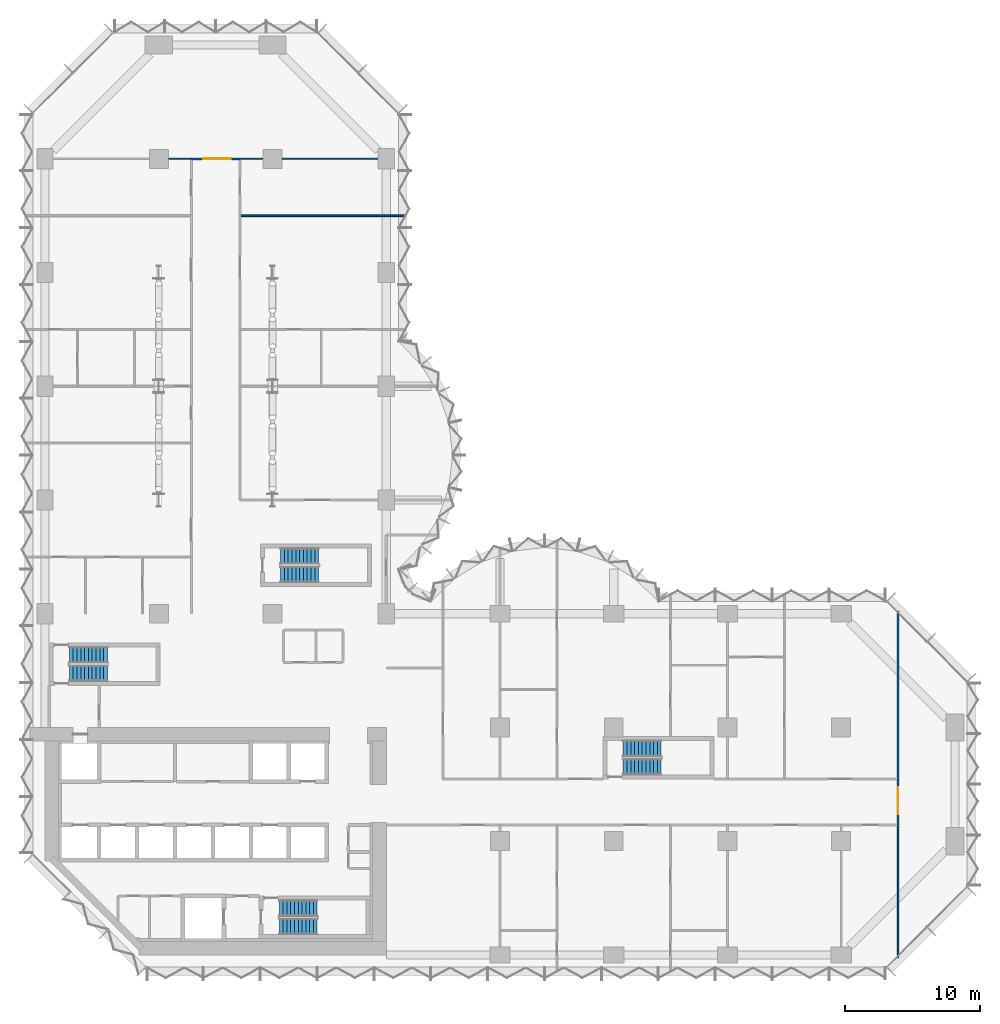
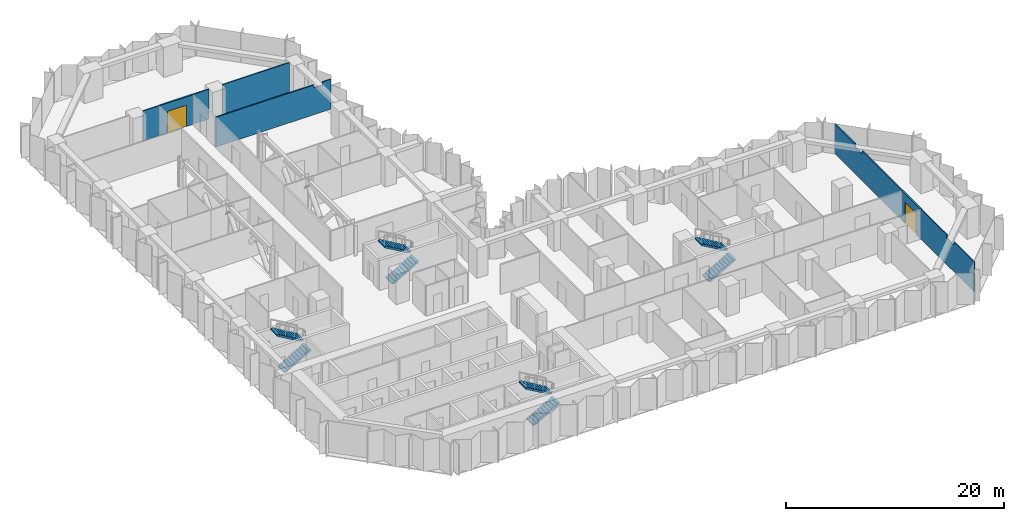
# One storey, part 14 of 18: 8 stair flights, 8 walls, 2 doors, 2 openings, 4 elements without a shape of their own.
"""IFC4 building model written with IfcOpenShell, lengths in metres."""

import ifcopenshell
import ifcopenshell.guid

model = None  # the IFC model being written
_history = None  # IfcOwnerHistory: only IFC2X3 demands one
_inside = {}  # id of a spatial element -> (the spatial element, [elements in it])
_under = {}  # id of a project, library or spatial element -> (it, [spatial elements below it])
_declared = {}  # id of a project -> (the project, [libraries it declares])
_typed = {}  # id of a type object -> (the type object, [elements of that type])
_made_of = {}  # id of a material, layer set ... -> (it, [elements and type objects made of it])


def new_model(schema):
    """Start an empty IFC model of exactly this schema.

    Asked for "IFC4X3", IfcOpenShell would pick the latest addendum, in which some entities
    have other attributes; the version numbers below select the first issue.
    IFC2X3 requires an IfcOwnerHistory on every rooted entity: one is made here for all.
    """
    global model, _history
    if schema == "IFC4X3":
        model = ifcopenshell.file(schema_version=(4, 3, 0, 0))
    else:
        model = ifcopenshell.file(schema=schema)
    _inside.clear()
    _under.clear()
    _declared.clear()
    _typed.clear()
    _made_of.clear()
    _history = None
    if model.schema == "IFC2X3":
        org = make("IfcOrganization", Name="unknown")
        user = make(
            "IfcPersonAndOrganization",
            ThePerson=make("IfcPerson", FamilyName="unknown"),
            TheOrganization=org,
        )
        app = make(
            "IfcApplication",
            ApplicationDeveloper=org,
            Version="unknown",
            ApplicationFullName="unknown",
            ApplicationIdentifier="unknown",
        )
        _history = make(
            "IfcOwnerHistory",
            OwningUser=user,
            OwningApplication=app,
            ChangeAction="ADDED",
            CreationDate=0,
        )
    return model


def make(cls, **values):
    """One entity of the class cls with the attributes given. An attribute that is None is left unset."""
    return model.create_entity(
        cls, **{name: value for name, value in values.items() if value is not None}
    )


def rooted(cls, **values):
    """An entity with a GlobalId (a new one), such as an element, a storey or a relation."""
    return make(cls, GlobalId=ifcopenshell.guid.new(), OwnerHistory=_history, **values)


def si_unit(unit_type, name, prefix=None):
    """IfcSIUnit, for example si_unit("LENGTHUNIT", "METRE", prefix="MILLI")."""
    return make("IfcSIUnit", UnitType=unit_type, Prefix=prefix, Name=name)


def assignment(units):
    """IfcUnitAssignment: the units of a project."""
    return None if units is None else make("IfcUnitAssignment", Units=units)


def point(xyz):
    """IfcCartesianPoint."""
    return None if xyz is None else make("IfcCartesianPoint", Coordinates=xyz)


def direction(xyz):
    """IfcDirection."""
    return None if xyz is None else make("IfcDirection", DirectionRatios=xyz)


def frame(location, z_axis=None, x_axis=None):
    """IfcAxis2Placement3D, a coordinate frame: its origin and axes. An axis left out is left unset."""
    return make(
        "IfcAxis2Placement3D",
        Location=point(location),
        Axis=direction(z_axis),
        RefDirection=direction(x_axis),
    )


def frame_2d(location, x_axis=None):
    """IfcAxis2Placement2D, a coordinate frame in the plane: its origin and x axis."""
    return make(
        "IfcAxis2Placement2D", Location=point(location), RefDirection=direction(x_axis)
    )


def origin():
    """The frame at (0, 0, 0) with its axes left unset."""
    return frame((0.0, 0.0, 0.0))


def place(relative_to, where):
    """IfcLocalPlacement: puts the frame where relative to a parent placement (None: the world)."""
    return make(
        "IfcLocalPlacement", PlacementRelTo=relative_to, RelativePlacement=where
    )


def context(
    kind, dimensions, precision=None, world=None, true_north=None, identifier=None
):
    """IfcGeometricRepresentationContext, for example the 3D "Model" context."""
    return make(
        "IfcGeometricRepresentationContext",
        ContextIdentifier=identifier,
        ContextType=kind,
        CoordinateSpaceDimension=dimensions,
        Precision=precision,
        WorldCoordinateSystem=world,
        TrueNorth=true_north,
    )


def subcontext(parent, identifier, kind, view, scale=None):
    """IfcGeometricRepresentationSubContext, for example "Body" below "Model"."""
    return make(
        "IfcGeometricRepresentationSubContext",
        ContextIdentifier=identifier,
        ContextType=kind,
        ParentContext=parent,
        TargetScale=scale,
        TargetView=view,
    )


def project(units=None, contexts=None):
    """IfcProject with its units and contexts."""
    return rooted(
        "IfcProject",
        Name="project",
        RepresentationContexts=contexts,
        UnitsInContext=assignment(units),
    )


def spatial(cls, under=None, at=None, **own):
    """A site, building, storey or space (cls), placed at a placement, below another one or the project."""
    s = rooted(cls, ObjectPlacement=at, **own)
    if under is not None:
        _under.setdefault(under.id(), (under, []))[1].append(s)
    return s


def polyline(points):
    """IfcPolyline through the points."""
    return make("IfcPolyline", Points=[point(p) for p in points])


def profile(cls, at=None, kind="AREA", **sizes):
    """A parametric profile (cls). Its sizes go by their IFC names, for example OverallWidth=200.0."""
    return make(cls, ProfileType=kind, Position=at, **sizes)


def rectangle(**sizes):
    """IfcRectangleProfileDef."""
    return profile("IfcRectangleProfileDef", **sizes)


def outline(outer, holes=None, kind="AREA"):
    """IfcArbitraryClosedProfileDef: a profile drawn as a closed curve; with holes, ...WithVoids."""
    if holes is None:
        return make("IfcArbitraryClosedProfileDef", ProfileType=kind, OuterCurve=outer)
    return make(
        "IfcArbitraryProfileDefWithVoids",
        ProfileType=kind,
        OuterCurve=outer,
        InnerCurves=holes,
    )


def extrude(swept, where, along, depth):
    """IfcExtrudedAreaSolid: the profile swept, set in the frame where, extruded along a direction by depth."""
    return make(
        "IfcExtrudedAreaSolid",
        SweptArea=swept,
        Position=where,
        ExtrudedDirection=direction(along),
        Depth=depth,
    )


def shape(context_of_items, identifier, shape_type, items):
    """IfcShapeRepresentation: the items that make up one representation, for example the "Body"."""
    return make(
        "IfcShapeRepresentation",
        ContextOfItems=context_of_items,
        RepresentationIdentifier=identifier,
        RepresentationType=shape_type,
        Items=items,
    )


def material(Name=None, Category=None):
    """IfcMaterial."""
    return make("IfcMaterial", Name=Name, Category=Category)


def layer(
    of_material, thickness, ventilated=None, Name=None, Category=None, Priority=None
):
    """IfcMaterialLayer: one layer of a wall or slab, of a material (None: an air gap)."""
    return make(
        "IfcMaterialLayer",
        Material=of_material,
        LayerThickness=thickness,
        IsVentilated=ventilated,
        Name=Name,
        Category=Category,
        Priority=Priority,
    )


def layer_set(layers, Name=None):
    """IfcMaterialLayerSet."""
    return make("IfcMaterialLayerSet", MaterialLayers=layers, LayerSetName=Name)


def made_of(thing, what):
    """Note that an element or type object is made of a material, layer set ...; save() writes the relation."""
    if what is not None:
        _made_of.setdefault(what.id(), (what, []))[1].append(thing)
    return thing


def type_object(cls, material=None, **own):
    """A type object (cls), such as IfcWallType, which elements share."""
    return made_of(rooted(cls, **own), material)


def element(
    cls,
    number,
    at=None,
    inside=None,
    cuts=None,
    type_object=None,
    material=None,
    context=None,
    identifier="Body",
    shape_type=None,
    held_by="IfcProductDefinitionShape",
    body=None,
    shapes=None,
    **own,
):
    """One element of the class cls, such as IfcWall. Its Tag is "e" and its number.

    at: its placement. inside: the storey or other place that contains it. cuts: it is an
    opening in that element (IfcRelVoidsElement). A single representation is given by context,
    identifier, shape_type and body (its items); several are given by shapes. held_by: the class
    of the entity that holds the representations. save() writes the other relations.
    """
    e = rooted(cls, Tag="e%d" % number, ObjectPlacement=at, **own)
    if body is not None:
        shapes = [shape(context, identifier, shape_type, body)]
    if shapes is not None:
        e.Representation = make(held_by, Representations=shapes)
    if inside is not None:
        _inside.setdefault(inside.id(), (inside, []))[1].append(e)
    if cuts is not None:
        rooted(
            "IfcRelVoidsElement", RelatingBuildingElement=cuts, RelatedOpeningElement=e
        )
    if type_object is not None:
        _typed.setdefault(type_object.id(), (type_object, []))[1].append(e)
    return made_of(e, material)


def fill(opening, filler):
    """IfcRelFillsElement: the door or window that sits in an opening."""
    return rooted(
        "IfcRelFillsElement",
        RelatingOpeningElement=opening,
        RelatedBuildingElement=filler,
    )


def aggregate(whole, parts):
    """IfcRelAggregates: a whole, such as a stair, and the parts it consists of."""
    return rooted("IfcRelAggregates", RelatingObject=whole, RelatedObjects=parts)


def save(model, path):
    """Write the relations noted so far, then the file.

    IfcRelAggregates (storeys below a building ...), IfcRelContainedInSpatialStructure (elements
    in a storey), IfcRelDefinesByType, IfcRelAssociatesMaterial and IfcRelDeclares: one each for
    every whole, place, type object, material and project.
    """
    for whole, parts in _under.values():
        aggregate(whole, parts)
    for where, things in _inside.values():
        rooted(
            "IfcRelContainedInSpatialStructure",
            RelatedElements=things,
            RelatingStructure=where,
        )
    for kind, things in _typed.values():
        rooted("IfcRelDefinesByType", RelatedObjects=things, RelatingType=kind)
    for what, things in _made_of.values():
        rooted("IfcRelAssociatesMaterial", RelatedObjects=things, RelatingMaterial=what)
    for by, libraries in _declared.values():
        rooted("IfcRelDeclares", RelatingContext=by, RelatedDefinitions=libraries)
    model.write(path)


model = new_model("IFC4")

# Units and contexts
model_context = context("Model", 3, precision=1e-05, world=origin(), true_north=direction((0.0, 1.0)))
body_context = subcontext(model_context, "Body", "Model", "MODEL_VIEW")
ifc_project = project(units=[si_unit("LENGTHUNIT", "METRE"), si_unit("AREAUNIT", "SQUARE_METRE"), si_unit("VOLUMEUNIT", "CUBIC_METRE"), si_unit("PLANEANGLEUNIT", "RADIAN"), si_unit("MASSUNIT", "GRAM", prefix="KILO")], contexts=[model_context])

# Site, building, storey
site_placement = place(None, origin())
site = spatial("IfcSite", under=ifc_project, at=site_placement, CompositionType="ELEMENT")
building_placement = place(site_placement, origin())
building = spatial("IfcBuilding", under=site, at=building_placement, Name="Brevane Broadcast Tower", CompositionType="ELEMENT")
storey_placement = place(building_placement, frame((0.0, 0.0, 40.10009765625)))
storey = spatial("IfcBuildingStorey", under=building, at=storey_placement, Name="L07", CompositionType="ELEMENT", Elevation=40.10009765625)

# Walls
ifc_material_1 = material(Name="Gypsum board partition")
ifc_layer_1 = layer(ifc_material_1, 0.10009765625)
ifc_layer_set_1 = layer_set([ifc_layer_1], Name="PARTITION 100 STUD")
wall_type_1 = type_object("IfcWallType", Name="PARTITION 100 STUD", PredefinedType="PARTITIONING", material=ifc_layer_set_1)
wall_1_placement = place(storey_placement, frame((63.0, -0.199951171875, 0.0), z_axis=(0.0, 0.0, 1.0), x_axis=(0.0, 1.0, 0.0)))
element("IfcWall", 1, at=wall_1_placement, inside=storey, type_object=wall_type_1, Name="Partition G01-020", PredefinedType="PARTITIONING", context=body_context, shape_type="SweptSolid", body=[
    extrude(outline(polyline([(0.0, 0.0), (9.800048828125, 0.0), (9.800048828125, 3.329833984375), (5.065673828125, 3.329833984375), (5.063720703125, 2.97998046875), (3.736328125, 2.97998046875), (3.734375, 3.329833984375), (0.0, 3.329833984375), (0.0, 0.0)])), frame((0.0, 0.050048828125, 0.0), z_axis=(0.0, -1.0, 0.0), x_axis=(1.0, 0.0, 0.0)), (0.0, 0.0, 1.0), 0.10009765625),
])
wall_2_placement = place(storey_placement, frame((10.800048828125, 58.800048828125, 0.0), z_axis=(0.0, 0.0, 1.0), x_axis=(-1.0, 0.0, 0.0)))
element("IfcWall", 2, at=wall_2_placement, inside=storey, type_object=wall_type_1, Name="Partition G01-068", PredefinedType="PARTITIONING", context=body_context, shape_type="SweptSolid", body=[
    extrude(rectangle(XDim=1.679931640625, YDim=0.10009765625, at=frame_2d((0.83984375, 0.0))), origin(), (0.0, 0.0, 1.0), 3.329833984375),
])
wall_3_placement = place(storey_placement, frame((24.580078125, 58.800048828125, 0.0), z_axis=(0.0, 0.0, 1.0), x_axis=(-1.0, 0.0, 0.0)))
element("IfcWall", 3, at=wall_3_placement, inside=storey, type_object=wall_type_1, Name="Partition G01-070", PredefinedType="PARTITIONING", context=body_context, shape_type="SweptSolid", body=[
    extrude(rectangle(XDim=7.06005859375, YDim=0.10009765625, at=frame_2d((3.530029296875, 0.0))), origin(), (0.0, 0.0, 1.0), 3.329833984375),
])
wall_4_placement = place(storey_placement, frame((16.080078125, 58.800048828125, 0.0), z_axis=(0.0, 0.0, 1.0), x_axis=(-1.0, 0.0, 0.0)))
element("IfcWall", 4, at=wall_4_placement, inside=storey, type_object=wall_type_1, Name="Partition G01-071", PredefinedType="PARTITIONING", context=body_context, shape_type="SweptSolid", body=[
    extrude(rectangle(XDim=1.68017578125, YDim=0.10009765625, at=frame_2d((0.840087890625, 0.0))), origin(), (0.0, 0.0, 1.0), 3.329833984375),
])
ifc_layer_2 = layer(ifc_material_1, 0.125)
ifc_layer_set_2 = layer_set([ifc_layer_2], Name="PARTITION 125 ACOUSTIC")
wall_type_2 = type_object("IfcWallType", Name="PARTITION 125 ACOUSTIC", PredefinedType="PARTITIONING", material=ifc_layer_set_2)
wall_5_placement = place(storey_placement, frame((63.0, 13.0, 0.0), z_axis=(0.0, 0.0, 1.0), x_axis=(0.0, 1.0, 0.0)))
element("IfcWall", 5, at=wall_5_placement, inside=storey, type_object=wall_type_2, Name="Partition G01-021", PredefinedType="PARTITIONING", context=body_context, shape_type="SweptSolid", body=[
    extrude(outline(polyline([(0.0, 0.0), (12.39990234375, 0.0), (12.39990234375, 3.329833984375), (8.67822265625, 3.329833984375), (8.67626953125, 2.97998046875), (7.32373046875, 2.97998046875), (7.32177734375, 3.329833984375), (0.0, 3.329833984375), (0.0, 0.0)])), frame((0.0, 0.0625, 0.0), z_axis=(0.0, -1.0, 0.0), x_axis=(1.0, 0.0, 0.0)), (0.0, 0.0, 1.0), 0.125),
])
wall_6_placement = place(storey_placement, frame((14.39990234375, 54.60009765625, 0.0), z_axis=(0.0, 0.0, 1.0), x_axis=(1.0, 0.0, 0.0)))
element("IfcWall", 6, at=wall_6_placement, inside=storey, type_object=wall_type_2, Name="Partition G01-092", PredefinedType="PARTITIONING", context=body_context, shape_type="SweptSolid", body=[
    extrude(outline(polyline([(0.0, 0.0), (12.1650390625, 0.0), (12.1650390625, 3.329833984375), (11.89990234375, 3.329833984375), (11.25, 3.329833984375), (11.248046875, 2.97998046875), (10.35205078125, 2.97998046875), (10.35009765625, 3.329833984375), (0.0, 3.329833984375), (0.0, 0.0)])), frame((0.0, 0.0625, 0.0), z_axis=(0.0, -1.0, 0.0), x_axis=(1.0, 0.0, 0.0)), (0.0, 0.0, 1.0), 0.125),
])

# Wall, opening, door
ifc_layer_3 = layer(ifc_material_1, 0.14990234375)
ifc_layer_set_3 = layer_set([ifc_layer_3], Name="PARTITION 150 EI 60")
wall_type_3 = type_object("IfcWallType", Name="PARTITION 150 EI 60", PredefinedType="PARTITIONING", material=ifc_layer_set_3)
wall_7_placement = place(storey_placement, frame((63.0, 13.0, 0.0), z_axis=(0.0, 0.0, 1.0), x_axis=(0.0, -1.0, 0.0)))
wall_7 = element("IfcWall", 7, at=wall_7_placement, inside=storey, type_object=wall_type_3, Name="Partition G01-007", PredefinedType="PARTITIONING", context=body_context, shape_type="SweptSolid", body=[
    extrude(rectangle(XDim=3.39990234375, YDim=0.14990234375, at=frame_2d((1.699951171875, 0.0))), origin(), (0.0, 0.0, 1.0), 3.329833984375),
])
opening_1_placement = place(wall_7_placement, frame((0.60009765625, 0.0, 0.0)))
opening_1 = element("IfcOpeningElement", 8, at=opening_1_placement, cuts=wall_7, Name="Opening D07-002", PredefinedType="OPENING", context=body_context, shape_type="SweptSolid", body=[
    extrude(rectangle(XDim=2.0, YDim=2.39990234375, at=frame_2d((1.0, 1.199951171875))), frame((0.0, 0.0849609375, 0.0), z_axis=(0.0, -1.0, 0.0), x_axis=(1.0, 0.0, 0.0)), (0.0, 0.0, 1.0), 0.169921875),
])
ifc_material_2 = material(Name="Fire-rated timber door leaf", Category="wood")
door_type = type_object("IfcDoorType", Name="DOOR DOUBLE 2000 FD30S", OperationType="DOUBLE_DOOR_SINGLE_SWING", PredefinedType="DOOR", material=ifc_material_2)
door_1_placement = place(opening_1_placement, origin())
door_1 = element("IfcDoor", 9, at=door_1_placement, inside=storey, type_object=door_type, Name="Door D07-002", OperationType="DOUBLE_DOOR_SINGLE_SWING", OverallHeight=2.39990234375, OverallWidth=2.0, PredefinedType="DOOR", context=body_context, shape_type="SweptSolid", body=[
    extrude(rectangle(XDim=2.0, YDim=2.39990234375, at=frame_2d((1.0, 1.199951171875))), frame((0.0, 0.02490234375, 0.0), z_axis=(0.0, -1.0, 0.0), x_axis=(1.0, 0.0, 0.0)), (0.0, 0.0, 1.0), 0.050048828125),
])
fill(opening_1, door_1)

wall_8_placement = place(storey_placement, frame((10.800048828125, 58.800048828125, 0.0), z_axis=(0.0, 0.0, 1.0), x_axis=(1.0, 0.0, 0.0)))
wall_8 = element("IfcWall", 10, at=wall_8_placement, inside=storey, type_object=wall_type_3, Name="Partition G01-058", PredefinedType="PARTITIONING", context=body_context, shape_type="SweptSolid", body=[
    extrude(rectangle(XDim=3.599853515625, YDim=0.14990234375, at=frame_2d((1.7998046875, 0.0))), origin(), (0.0, 0.0, 1.0), 3.329833984375),
])
opening_2_placement = place(wall_8_placement, frame((0.89990234375, 0.0, 0.0)))
opening_2 = element("IfcOpeningElement", 11, at=opening_2_placement, cuts=wall_8, Name="Opening D07-020", PredefinedType="OPENING", context=body_context, shape_type="SweptSolid", body=[
    extrude(rectangle(XDim=2.0, YDim=2.39990234375, at=frame_2d((1.0, 1.199951171875))), frame((0.0, 0.0849609375, 0.0), z_axis=(0.0, -1.0, 0.0), x_axis=(1.0, 0.0, 0.0)), (0.0, 0.0, 1.0), 0.169921875),
])
door_2_placement = place(opening_2_placement, origin())
door_2 = element("IfcDoor", 12, at=door_2_placement, inside=storey, type_object=door_type, Name="Door D07-020", OperationType="DOUBLE_DOOR_SINGLE_SWING", OverallHeight=2.39990234375, OverallWidth=2.0, PredefinedType="DOOR", context=body_context, shape_type="SweptSolid", body=[
    extrude(rectangle(XDim=2.0, YDim=2.39990234375, at=frame_2d((1.0, 1.199951171875))), frame((0.0, 0.02490234375, 0.0), z_axis=(0.0, -1.0, 0.0), x_axis=(1.0, 0.0, 0.0)), (0.0, 0.0, 1.0), 0.050048828125),
])
fill(opening_2, door_2)

# Stair, stair flights
ifc_material_3 = material(Name="Concrete C50/60", Category="concrete")
stair_type = type_object("IfcStairType", Name="Exit stair 22 risers", PredefinedType="HALF_TURN_STAIR", material=ifc_material_3)
stair_1_placement = place(storey_placement, origin())
stair_1 = element("IfcStair", 13, at=stair_1_placement, inside=storey, type_object=stair_type, Name="L07 Exit stair ST-1", PredefinedType="HALF_TURN_STAIR")
stair_flight_type = type_object("IfcStairFlightType", Name="Exit stair flight 22 risers", PredefinedType="STRAIGHT", material=ifc_material_3)
stair_flight_1_placement = place(storey_placement, frame((1.800048828125, 20.800048828125, 0.0), z_axis=(0.0, 0.0, 1.0), x_axis=(1.0, 0.0, 0.0)))
stair_flight_1 = element("IfcStairFlight", 14, at=stair_flight_1_placement, type_object=stair_flight_type, Name="ST-1 flight 1", NumberOfRisers=11, NumberOfTreads=10, PredefinedType="STRAIGHT", RiserHeight=0.163636364, TreadLength=0.28, context=body_context, shape_type="SweptSolid", body=[
    extrude(outline(polyline([(0.0, 0.0), (0.0, 0.16357421875), (0.280029296875, 0.16357421875), (0.280029296875, 0.327392578125), (0.56005859375, 0.327392578125), (0.56005859375, 0.490966796875), (0.840087890625, 0.490966796875), (0.840087890625, 0.654541015625), (1.1201171875, 0.654541015625), (1.1201171875, 0.818115234375), (1.39990234375, 0.818115234375), (1.39990234375, 0.98193359375), (1.679931640625, 0.98193359375), (1.679931640625, 1.1455078125), (1.9599609375, 1.1455078125), (1.9599609375, 1.30908203125), (2.239990234375, 1.30908203125), (2.239990234375, 1.47265625), (2.52001953125, 1.47265625), (2.52001953125, 1.636474609375), (2.800048828125, 1.636474609375), (2.800048828125, 1.800048828125), (2.800048828125, 1.462646484375), (0.297119140625, 0.0), (0.0, 0.0)])), frame((0.0, 0.60009765625, 0.0), z_axis=(0.0, -1.0, 0.0), x_axis=(1.0, 0.0, 0.0)), (0.0, 0.0, 1.0), 1.199951171875),
])
stair_flight_2_placement = place(storey_placement, frame((4.60009765625, 22.14990234375, 1.7998046875), z_axis=(0.0, 0.0, 1.0), x_axis=(-1.0, 0.0, 0.0)))
stair_flight_2 = element("IfcStairFlight", 15, at=stair_flight_2_placement, type_object=stair_flight_type, Name="ST-1 flight 2", NumberOfRisers=11, NumberOfTreads=10, PredefinedType="STRAIGHT", RiserHeight=0.163636364, TreadLength=0.28, context=body_context, shape_type="SweptSolid", body=[
    extrude(outline(polyline([(0.0, 0.0), (0.0, 0.16357421875), (0.280029296875, 0.16357421875), (0.280029296875, 0.327392578125), (0.56005859375, 0.327392578125), (0.56005859375, 0.490966796875), (0.840087890625, 0.490966796875), (0.840087890625, 0.654541015625), (1.1201171875, 0.654541015625), (1.1201171875, 0.818115234375), (1.39990234375, 0.818115234375), (1.39990234375, 0.98193359375), (1.679931640625, 0.98193359375), (1.679931640625, 1.1455078125), (1.9599609375, 1.1455078125), (1.9599609375, 1.30908203125), (2.239990234375, 1.30908203125), (2.239990234375, 1.47265625), (2.52001953125, 1.47265625), (2.52001953125, 1.636474609375), (2.800048828125, 1.636474609375), (2.800048828125, 1.800048828125), (2.800048828125, 1.462646484375), (0.297119140625, 0.0), (0.0, 0.0)])), frame((0.0, 0.60009765625, 0.0), z_axis=(0.0, -1.0, 0.0), x_axis=(1.0, 0.0, 0.0)), (0.0, 0.0, 1.0), 1.199951171875),
])
aggregate(stair_1, [stair_flight_1, stair_flight_2])

stair_2_placement = place(storey_placement, origin())
stair_2 = element("IfcStair", 16, at=stair_2_placement, inside=storey, type_object=stair_type, Name="L07 Exit stair ST-2", PredefinedType="HALF_TURN_STAIR")
stair_flight_3_placement = place(storey_placement, frame((17.300048828125, 2.10009765625, 0.0), z_axis=(0.0, 0.0, 1.0), x_axis=(1.0, 0.0, 0.0)))
stair_flight_3 = element("IfcStairFlight", 17, at=stair_flight_3_placement, type_object=stair_flight_type, Name="ST-2 flight 1", NumberOfRisers=11, NumberOfTreads=10, PredefinedType="STRAIGHT", RiserHeight=0.163636364, TreadLength=0.28, context=body_context, shape_type="SweptSolid", body=[
    extrude(outline(polyline([(0.0, 0.0), (0.0, 0.16357421875), (0.280029296875, 0.16357421875), (0.280029296875, 0.327392578125), (0.56005859375, 0.327392578125), (0.56005859375, 0.490966796875), (0.840087890625, 0.490966796875), (0.840087890625, 0.654541015625), (1.1201171875, 0.654541015625), (1.1201171875, 0.818115234375), (1.39990234375, 0.818115234375), (1.39990234375, 0.98193359375), (1.679931640625, 0.98193359375), (1.679931640625, 1.1455078125), (1.9599609375, 1.1455078125), (1.9599609375, 1.30908203125), (2.239990234375, 1.30908203125), (2.239990234375, 1.47265625), (2.52001953125, 1.47265625), (2.52001953125, 1.636474609375), (2.800048828125, 1.636474609375), (2.800048828125, 1.800048828125), (2.800048828125, 1.462646484375), (0.297119140625, 0.0), (0.0, 0.0)])), frame((0.0, 0.60009765625, 0.0), z_axis=(0.0, -1.0, 0.0), x_axis=(1.0, 0.0, 0.0)), (0.0, 0.0, 1.0), 1.199951171875),
])
stair_flight_4_placement = place(storey_placement, frame((20.10009765625, 3.449951171875, 1.7998046875), z_axis=(0.0, 0.0, 1.0), x_axis=(-1.0, 0.0, 0.0)))
stair_flight_4 = element("IfcStairFlight", 18, at=stair_flight_4_placement, type_object=stair_flight_type, Name="ST-2 flight 2", NumberOfRisers=11, NumberOfTreads=10, PredefinedType="STRAIGHT", RiserHeight=0.163636364, TreadLength=0.28, context=body_context, shape_type="SweptSolid", body=[
    extrude(outline(polyline([(0.0, 0.0), (0.0, 0.16357421875), (0.280029296875, 0.16357421875), (0.280029296875, 0.327392578125), (0.56005859375, 0.327392578125), (0.56005859375, 0.490966796875), (0.840087890625, 0.490966796875), (0.840087890625, 0.654541015625), (1.1201171875, 0.654541015625), (1.1201171875, 0.818115234375), (1.39990234375, 0.818115234375), (1.39990234375, 0.98193359375), (1.679931640625, 0.98193359375), (1.679931640625, 1.1455078125), (1.9599609375, 1.1455078125), (1.9599609375, 1.30908203125), (2.239990234375, 1.30908203125), (2.239990234375, 1.47265625), (2.52001953125, 1.47265625), (2.52001953125, 1.636474609375), (2.800048828125, 1.636474609375), (2.800048828125, 1.800048828125), (2.800048828125, 1.462646484375), (0.297119140625, 0.0), (0.0, 0.0)])), frame((0.0, 0.60009765625, 0.0), z_axis=(0.0, -1.0, 0.0), x_axis=(1.0, 0.0, 0.0)), (0.0, 0.0, 1.0), 1.199951171875),
])
aggregate(stair_2, [stair_flight_3, stair_flight_4])

stair_3_placement = place(storey_placement, origin())
stair_3 = element("IfcStair", 19, at=stair_3_placement, inside=storey, type_object=stair_type, Name="L07 Exit stair ST-3", PredefinedType="HALF_TURN_STAIR")
stair_flight_5_placement = place(storey_placement, frame((17.39990234375, 28.10009765625, 0.0), z_axis=(0.0, 0.0, 1.0), x_axis=(1.0, 0.0, 0.0)))
stair_flight_5 = element("IfcStairFlight", 20, at=stair_flight_5_placement, type_object=stair_flight_type, Name="ST-3 flight 1", NumberOfRisers=11, NumberOfTreads=10, PredefinedType="STRAIGHT", RiserHeight=0.163636364, TreadLength=0.28, context=body_context, shape_type="SweptSolid", body=[
    extrude(outline(polyline([(0.0, 0.0), (0.0, 0.16357421875), (0.280029296875, 0.16357421875), (0.280029296875, 0.327392578125), (0.56005859375, 0.327392578125), (0.56005859375, 0.490966796875), (0.840087890625, 0.490966796875), (0.840087890625, 0.654541015625), (1.1201171875, 0.654541015625), (1.1201171875, 0.818115234375), (1.39990234375, 0.818115234375), (1.39990234375, 0.98193359375), (1.679931640625, 0.98193359375), (1.679931640625, 1.1455078125), (1.9599609375, 1.1455078125), (1.9599609375, 1.30908203125), (2.239990234375, 1.30908203125), (2.239990234375, 1.47265625), (2.52001953125, 1.47265625), (2.52001953125, 1.636474609375), (2.800048828125, 1.636474609375), (2.800048828125, 1.800048828125), (2.800048828125, 1.462646484375), (0.297119140625, 0.0), (0.0, 0.0)])), frame((0.0, 0.60009765625, 0.0), z_axis=(0.0, -1.0, 0.0), x_axis=(1.0, 0.0, 0.0)), (0.0, 0.0, 1.0), 1.199951171875),
])
stair_flight_6_placement = place(storey_placement, frame((20.199951171875, 29.449951171875, 1.7998046875), z_axis=(0.0, 0.0, 1.0), x_axis=(-1.0, 0.0, 0.0)))
stair_flight_6 = element("IfcStairFlight", 21, at=stair_flight_6_placement, type_object=stair_flight_type, Name="ST-3 flight 2", NumberOfRisers=11, NumberOfTreads=10, PredefinedType="STRAIGHT", RiserHeight=0.163636364, TreadLength=0.28, context=body_context, shape_type="SweptSolid", body=[
    extrude(outline(polyline([(0.0, 0.0), (0.0, 0.16357421875), (0.280029296875, 0.16357421875), (0.280029296875, 0.327392578125), (0.56005859375, 0.327392578125), (0.56005859375, 0.490966796875), (0.840087890625, 0.490966796875), (0.840087890625, 0.654541015625), (1.1201171875, 0.654541015625), (1.1201171875, 0.818115234375), (1.39990234375, 0.818115234375), (1.39990234375, 0.98193359375), (1.679931640625, 0.98193359375), (1.679931640625, 1.1455078125), (1.9599609375, 1.1455078125), (1.9599609375, 1.30908203125), (2.239990234375, 1.30908203125), (2.239990234375, 1.47265625), (2.52001953125, 1.47265625), (2.52001953125, 1.636474609375), (2.800048828125, 1.636474609375), (2.800048828125, 1.800048828125), (2.800048828125, 1.462646484375), (0.297119140625, 0.0), (0.0, 0.0)])), frame((0.0, 0.60009765625, 0.0), z_axis=(0.0, -1.0, 0.0), x_axis=(1.0, 0.0, 0.0)), (0.0, 0.0, 1.0), 1.199951171875),
])
aggregate(stair_3, [stair_flight_5, stair_flight_6])

stair_4_placement = place(storey_placement, origin())
stair_4 = element("IfcStair", 22, at=stair_4_placement, inside=storey, type_object=stair_type, Name="L07 Exit stair ST-4", PredefinedType="HALF_TURN_STAIR")
stair_flight_7_placement = place(storey_placement, frame((42.699951171875, 13.89990234375, 0.0), z_axis=(0.0, 0.0, 1.0), x_axis=(1.0, 0.0, 0.0)))
stair_flight_7 = element("IfcStairFlight", 23, at=stair_flight_7_placement, type_object=stair_flight_type, Name="ST-4 flight 1", NumberOfRisers=11, NumberOfTreads=10, PredefinedType="STRAIGHT", RiserHeight=0.163636364, TreadLength=0.28, context=body_context, shape_type="SweptSolid", body=[
    extrude(outline(polyline([(0.0, 0.0), (0.0, 0.16357421875), (0.280029296875, 0.16357421875), (0.280029296875, 0.327392578125), (0.56005859375, 0.327392578125), (0.56005859375, 0.490966796875), (0.840087890625, 0.490966796875), (0.840087890625, 0.654541015625), (1.1201171875, 0.654541015625), (1.1201171875, 0.818115234375), (1.39990234375, 0.818115234375), (1.39990234375, 0.98193359375), (1.679931640625, 0.98193359375), (1.679931640625, 1.1455078125), (1.9599609375, 1.1455078125), (1.9599609375, 1.30908203125), (2.239990234375, 1.30908203125), (2.239990234375, 1.47265625), (2.52001953125, 1.47265625), (2.52001953125, 1.636474609375), (2.800048828125, 1.636474609375), (2.800048828125, 1.800048828125), (2.800048828125, 1.462646484375), (0.297119140625, 0.0), (0.0, 0.0)])), frame((0.0, 0.60009765625, 0.0), z_axis=(0.0, -1.0, 0.0), x_axis=(1.0, 0.0, 0.0)), (0.0, 0.0, 1.0), 1.199951171875),
])
stair_flight_8_placement = place(storey_placement, frame((45.5, 15.25, 1.7998046875), z_axis=(0.0, 0.0, 1.0), x_axis=(-1.0, 0.0, 0.0)))
stair_flight_8 = element("IfcStairFlight", 24, at=stair_flight_8_placement, type_object=stair_flight_type, Name="ST-4 flight 2", NumberOfRisers=11, NumberOfTreads=10, PredefinedType="STRAIGHT", RiserHeight=0.163636364, TreadLength=0.28, context=body_context, shape_type="SweptSolid", body=[
    extrude(outline(polyline([(0.0, 0.0), (0.0, 0.16357421875), (0.280029296875, 0.16357421875), (0.280029296875, 0.327392578125), (0.56005859375, 0.327392578125), (0.56005859375, 0.490966796875), (0.840087890625, 0.490966796875), (0.840087890625, 0.654541015625), (1.1201171875, 0.654541015625), (1.1201171875, 0.818115234375), (1.39990234375, 0.818115234375), (1.39990234375, 0.98193359375), (1.679931640625, 0.98193359375), (1.679931640625, 1.1455078125), (1.9599609375, 1.1455078125), (1.9599609375, 1.30908203125), (2.239990234375, 1.30908203125), (2.239990234375, 1.47265625), (2.52001953125, 1.47265625), (2.52001953125, 1.636474609375), (2.800048828125, 1.636474609375), (2.800048828125, 1.800048828125), (2.800048828125, 1.462646484375), (0.297119140625, 0.0), (0.0, 0.0)])), frame((0.0, 0.60009765625, 0.0), z_axis=(0.0, -1.0, 0.0), x_axis=(1.0, 0.0, 0.0)), (0.0, 0.0, 1.0), 1.199951171875),
])
aggregate(stair_4, [stair_flight_7, stair_flight_8])

save(model, "model.ifc")
